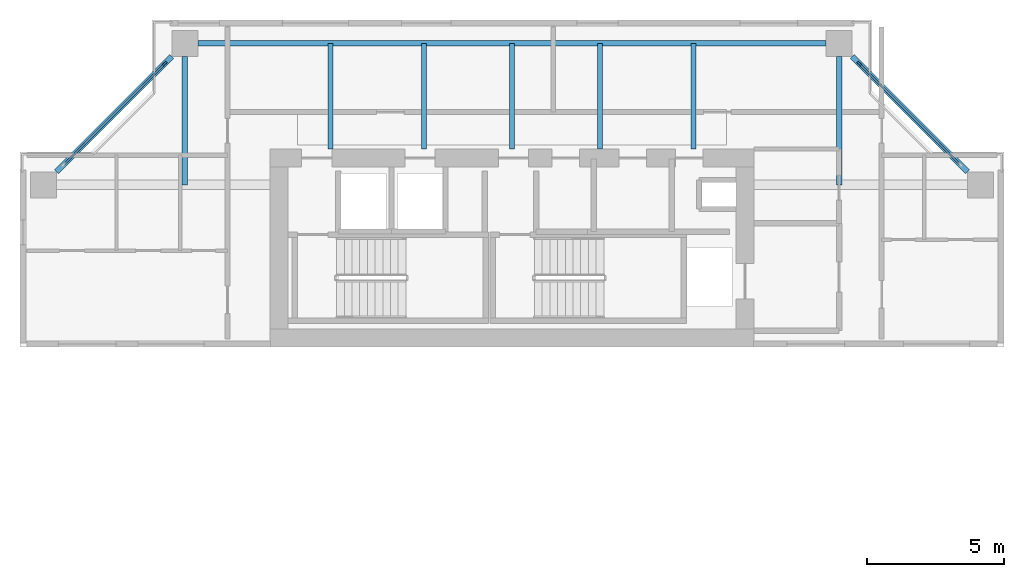
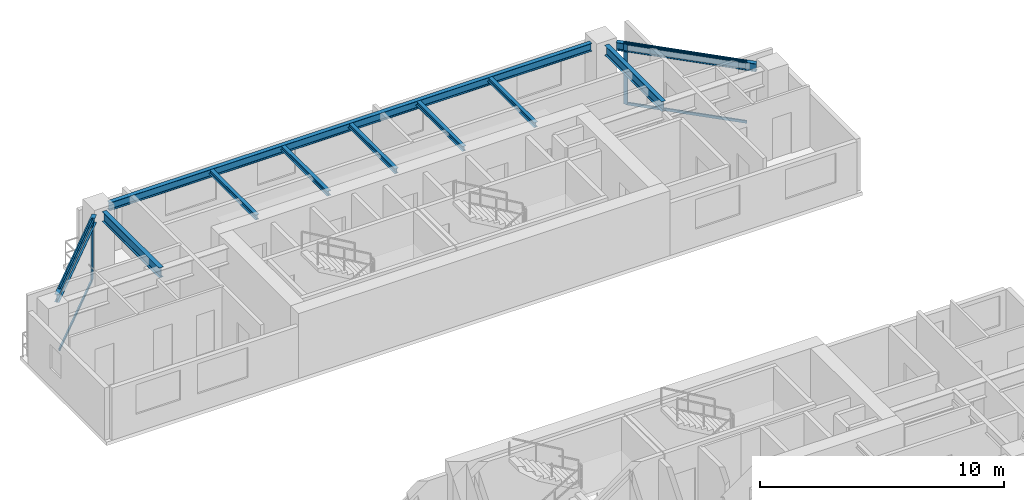
# One storey, part 5 of 12: 10 beams, 6 members, 2 elements without a shape of their own.
"""IFC4 building model written with IfcOpenShell, lengths in metres."""

import ifcopenshell
import ifcopenshell.guid

model = None  # the IFC model being written
_history = None  # IfcOwnerHistory: only IFC2X3 demands one
_inside = {}  # id of a spatial element -> (the spatial element, [elements in it])
_under = {}  # id of a project, library or spatial element -> (it, [spatial elements below it])
_declared = {}  # id of a project -> (the project, [libraries it declares])
_typed = {}  # id of a type object -> (the type object, [elements of that type])
_made_of = {}  # id of a material, layer set ... -> (it, [elements and type objects made of it])


def new_model(schema):
    """Start an empty IFC model of exactly this schema.

    Asked for "IFC4X3", IfcOpenShell would pick the latest addendum, in which some entities
    have other attributes; the version numbers below select the first issue.
    IFC2X3 requires an IfcOwnerHistory on every rooted entity: one is made here for all.
    """
    global model, _history
    if schema == "IFC4X3":
        model = ifcopenshell.file(schema_version=(4, 3, 0, 0))
    else:
        model = ifcopenshell.file(schema=schema)
    _inside.clear()
    _under.clear()
    _declared.clear()
    _typed.clear()
    _made_of.clear()
    _history = None
    if model.schema == "IFC2X3":
        org = make("IfcOrganization", Name="unknown")
        user = make(
            "IfcPersonAndOrganization",
            ThePerson=make("IfcPerson", FamilyName="unknown"),
            TheOrganization=org,
        )
        app = make(
            "IfcApplication",
            ApplicationDeveloper=org,
            Version="unknown",
            ApplicationFullName="unknown",
            ApplicationIdentifier="unknown",
        )
        _history = make(
            "IfcOwnerHistory",
            OwningUser=user,
            OwningApplication=app,
            ChangeAction="ADDED",
            CreationDate=0,
        )
    return model


def make(cls, **values):
    """One entity of the class cls with the attributes given. An attribute that is None is left unset."""
    return model.create_entity(
        cls, **{name: value for name, value in values.items() if value is not None}
    )


def rooted(cls, **values):
    """An entity with a GlobalId (a new one), such as an element, a storey or a relation."""
    return make(cls, GlobalId=ifcopenshell.guid.new(), OwnerHistory=_history, **values)


def si_unit(unit_type, name, prefix=None):
    """IfcSIUnit, for example si_unit("LENGTHUNIT", "METRE", prefix="MILLI")."""
    return make("IfcSIUnit", UnitType=unit_type, Prefix=prefix, Name=name)


def assignment(units):
    """IfcUnitAssignment: the units of a project."""
    return None if units is None else make("IfcUnitAssignment", Units=units)


def point(xyz):
    """IfcCartesianPoint."""
    return None if xyz is None else make("IfcCartesianPoint", Coordinates=xyz)


def direction(xyz):
    """IfcDirection."""
    return None if xyz is None else make("IfcDirection", DirectionRatios=xyz)


def frame(location, z_axis=None, x_axis=None):
    """IfcAxis2Placement3D, a coordinate frame: its origin and axes. An axis left out is left unset."""
    return make(
        "IfcAxis2Placement3D",
        Location=point(location),
        Axis=direction(z_axis),
        RefDirection=direction(x_axis),
    )


def frame_2d(location, x_axis=None):
    """IfcAxis2Placement2D, a coordinate frame in the plane: its origin and x axis."""
    return make(
        "IfcAxis2Placement2D", Location=point(location), RefDirection=direction(x_axis)
    )


def origin():
    """The frame at (0, 0, 0) with its axes left unset."""
    return frame((0.0, 0.0, 0.0))


def origin_2d():
    """The frame at (0, 0) in the plane with its x axis left unset."""
    return frame_2d((0.0, 0.0))


def place(relative_to, where):
    """IfcLocalPlacement: puts the frame where relative to a parent placement (None: the world)."""
    return make(
        "IfcLocalPlacement", PlacementRelTo=relative_to, RelativePlacement=where
    )


def context(
    kind, dimensions, precision=None, world=None, true_north=None, identifier=None
):
    """IfcGeometricRepresentationContext, for example the 3D "Model" context."""
    return make(
        "IfcGeometricRepresentationContext",
        ContextIdentifier=identifier,
        ContextType=kind,
        CoordinateSpaceDimension=dimensions,
        Precision=precision,
        WorldCoordinateSystem=world,
        TrueNorth=true_north,
    )


def subcontext(parent, identifier, kind, view, scale=None):
    """IfcGeometricRepresentationSubContext, for example "Body" below "Model"."""
    return make(
        "IfcGeometricRepresentationSubContext",
        ContextIdentifier=identifier,
        ContextType=kind,
        ParentContext=parent,
        TargetScale=scale,
        TargetView=view,
    )


def project(units=None, contexts=None):
    """IfcProject with its units and contexts."""
    return rooted(
        "IfcProject",
        Name="project",
        RepresentationContexts=contexts,
        UnitsInContext=assignment(units),
    )


def spatial(cls, under=None, at=None, **own):
    """A site, building, storey or space (cls), placed at a placement, below another one or the project."""
    s = rooted(cls, ObjectPlacement=at, **own)
    if under is not None:
        _under.setdefault(under.id(), (under, []))[1].append(s)
    return s


def profile(cls, at=None, kind="AREA", **sizes):
    """A parametric profile (cls). Its sizes go by their IFC names, for example OverallWidth=200.0."""
    return make(cls, ProfileType=kind, Position=at, **sizes)


def rectangle(**sizes):
    """IfcRectangleProfileDef."""
    return profile("IfcRectangleProfileDef", **sizes)


def i_section(**sizes):
    """IfcIShapeProfileDef."""
    return profile("IfcIShapeProfileDef", **sizes)


def extrude(swept, where, along, depth):
    """IfcExtrudedAreaSolid: the profile swept, set in the frame where, extruded along a direction by depth."""
    return make(
        "IfcExtrudedAreaSolid",
        SweptArea=swept,
        Position=where,
        ExtrudedDirection=direction(along),
        Depth=depth,
    )


def shape(context_of_items, identifier, shape_type, items):
    """IfcShapeRepresentation: the items that make up one representation, for example the "Body"."""
    return make(
        "IfcShapeRepresentation",
        ContextOfItems=context_of_items,
        RepresentationIdentifier=identifier,
        RepresentationType=shape_type,
        Items=items,
    )


def source(mapping_origin, context_of_items, identifier, shape_type, items):
    """IfcRepresentationMap: a shape defined once, which mapped items show again and again."""
    return make(
        "IfcRepresentationMap",
        MappingOrigin=mapping_origin,
        MappedRepresentation=shape(context_of_items, identifier, shape_type, items),
    )


def transform(
    local_origin,
    x_axis=None,
    y_axis=None,
    z_axis=None,
    scale=None,
    scale2=None,
    scale3=None,
    uniform=True,
):
    """IfcCartesianTransformationOperator3D, or its non-uniform kind. x_axis, y_axis, z_axis: its Axis1, 2, 3."""
    if uniform:
        return make(
            "IfcCartesianTransformationOperator3D",
            Axis1=direction(x_axis),
            Axis2=direction(y_axis),
            LocalOrigin=point(local_origin),
            Scale=scale,
            Axis3=direction(z_axis),
        )
    return make(
        "IfcCartesianTransformationOperator3DnonUniform",
        Axis1=direction(x_axis),
        Axis2=direction(y_axis),
        LocalOrigin=point(local_origin),
        Scale=scale,
        Axis3=direction(z_axis),
        Scale2=scale2,
        Scale3=scale3,
    )


def mapped(mapping_source, mapping_target):
    """IfcMappedItem: shows the shape of a source again, moved by a transform."""
    return make(
        "IfcMappedItem", MappingSource=mapping_source, MappingTarget=mapping_target
    )


def material(Name=None, Category=None):
    """IfcMaterial."""
    return make("IfcMaterial", Name=Name, Category=Category)


def layer(
    of_material, thickness, ventilated=None, Name=None, Category=None, Priority=None
):
    """IfcMaterialLayer: one layer of a wall or slab, of a material (None: an air gap)."""
    return make(
        "IfcMaterialLayer",
        Material=of_material,
        LayerThickness=thickness,
        IsVentilated=ventilated,
        Name=Name,
        Category=Category,
        Priority=Priority,
    )


def layer_set(layers, Name=None):
    """IfcMaterialLayerSet."""
    return make("IfcMaterialLayerSet", MaterialLayers=layers, LayerSetName=Name)


def material_profile(
    of_material, cross_section, Name=None, Category=None, Priority=None
):
    """IfcMaterialProfile: a cross section and its material."""
    return make(
        "IfcMaterialProfile",
        Name=Name,
        Material=of_material,
        Profile=cross_section,
        Priority=Priority,
        Category=Category,
    )


def profile_set(profiles, Name=None, composite=None):
    """IfcMaterialProfileSet."""
    return make(
        "IfcMaterialProfileSet",
        Name=Name,
        MaterialProfiles=profiles,
        CompositeProfile=composite,
    )


def made_of(thing, what):
    """Note that an element or type object is made of a material, layer set ...; save() writes the relation."""
    if what is not None:
        _made_of.setdefault(what.id(), (what, []))[1].append(thing)
    return thing


def type_object(cls, material=None, **own):
    """A type object (cls), such as IfcWallType, which elements share."""
    return made_of(rooted(cls, **own), material)


def element(
    cls,
    number,
    at=None,
    inside=None,
    cuts=None,
    type_object=None,
    material=None,
    context=None,
    identifier="Body",
    shape_type=None,
    held_by="IfcProductDefinitionShape",
    body=None,
    shapes=None,
    **own,
):
    """One element of the class cls, such as IfcWall. Its Tag is "e" and its number.

    at: its placement. inside: the storey or other place that contains it. cuts: it is an
    opening in that element (IfcRelVoidsElement). A single representation is given by context,
    identifier, shape_type and body (its items); several are given by shapes. held_by: the class
    of the entity that holds the representations. save() writes the other relations.
    """
    e = rooted(cls, Tag="e%d" % number, ObjectPlacement=at, **own)
    if body is not None:
        shapes = [shape(context, identifier, shape_type, body)]
    if shapes is not None:
        e.Representation = make(held_by, Representations=shapes)
    if inside is not None:
        _inside.setdefault(inside.id(), (inside, []))[1].append(e)
    if cuts is not None:
        rooted(
            "IfcRelVoidsElement", RelatingBuildingElement=cuts, RelatedOpeningElement=e
        )
    if type_object is not None:
        _typed.setdefault(type_object.id(), (type_object, []))[1].append(e)
    return made_of(e, material)


def aggregate(whole, parts):
    """IfcRelAggregates: a whole, such as a stair, and the parts it consists of."""
    return rooted("IfcRelAggregates", RelatingObject=whole, RelatedObjects=parts)


def save(model, path):
    """Write the relations noted so far, then the file.

    IfcRelAggregates (storeys below a building ...), IfcRelContainedInSpatialStructure (elements
    in a storey), IfcRelDefinesByType, IfcRelAssociatesMaterial and IfcRelDeclares: one each for
    every whole, place, type object, material and project.
    """
    for whole, parts in _under.values():
        aggregate(whole, parts)
    for where, things in _inside.values():
        rooted(
            "IfcRelContainedInSpatialStructure",
            RelatedElements=things,
            RelatingStructure=where,
        )
    for kind, things in _typed.values():
        rooted("IfcRelDefinesByType", RelatedObjects=things, RelatingType=kind)
    for what, things in _made_of.values():
        rooted("IfcRelAssociatesMaterial", RelatedObjects=things, RelatingMaterial=what)
    for by, libraries in _declared.values():
        rooted("IfcRelDeclares", RelatingContext=by, RelatedDefinitions=libraries)
    model.write(path)


model = new_model("IFC4")

# Units and contexts
model_context = context("Model", 3, precision=1e-05, world=origin(), true_north=direction((0.0, 1.0)))
body_context = subcontext(model_context, "Body", "Model", "MODEL_VIEW")
ifc_project = project(units=[si_unit("LENGTHUNIT", "METRE"), si_unit("AREAUNIT", "SQUARE_METRE"), si_unit("VOLUMEUNIT", "CUBIC_METRE"), si_unit("PLANEANGLEUNIT", "RADIAN"), si_unit("MASSUNIT", "GRAM", prefix="KILO"), si_unit("THERMODYNAMICTEMPERATUREUNIT", "KELVIN"), si_unit("POWERUNIT", "WATT")], contexts=[model_context])

# Site, building, storey
site_placement = place(None, origin())
site = spatial("IfcSite", under=ifc_project, at=site_placement, CompositionType="ELEMENT")
building_placement = place(site_placement, origin())
building = spatial("IfcBuilding", under=site, at=building_placement, Name="Qiaomeng Ring Towers", CompositionType="ELEMENT")
storey_placement = place(building_placement, frame((0.0, 0.0, 160.0)))
storey = spatial("IfcBuildingStorey", under=building, at=storey_placement, Name="L46", CompositionType="ELEMENT", Elevation=160.0)

# Beams
ifc_material_1 = material(Name="Steel Q355B", Category="steel")
ifc_material_profile_1 = material_profile(ifc_material_1, i_section(OverallWidth=0.175048828125, OverallDepth=0.243896484375, WebThickness=0.007080078125, FlangeThickness=0.010986328125, FilletRadius=0.01611328125, at=origin_2d()), Name="HM 244x175x7x11")
ifc_profile_set_1 = profile_set([ifc_material_profile_1], Name="Steel Q355B")
beam_type_1 = type_object("IfcBeamType", Name="STR-BM-HM244", PredefinedType="JOIST", material=ifc_profile_set_1)
shared_shape_1 = source(origin(), body_context, "Body", "SweptSolid", [
    extrude(i_section(OverallWidth=0.175048828125, OverallDepth=0.243896484375, WebThickness=0.007080078125, FlangeThickness=0.010986328125, FilletRadius=0.01611328125, at=origin_2d()), origin(), (0.0, 0.0, 1.0), 3.85009765625),
])
for number, where, z_axis, x_axis, name in (
    (1, (12.39990234375, 36.199951171875, 2.947998046875), (0.0, 1.0, 0.0), (-1.0, 0.0, 0.0), "L46 beam STR-JST-L46-T1N-1"),
    (2, (15.800048828125, 36.199951171875, 2.947998046875), (0.0, 1.0, 0.0), (-1.0, 0.0, 0.0), "L46 beam STR-JST-L46-T1N-2"),
    (3, (19.0, 36.199951171875, 2.947998046875), (0.0, 1.0, 0.0), (-1.0, 0.0, 0.0), "L46 beam STR-JST-L46-T1N-3"),
    (4, (22.199951171875, 36.199951171875, 2.947998046875), (0.0, 1.0, 0.0), (-1.0, 0.0, 0.0), "L46 beam STR-JST-L46-T1N-4"),
    (5, (25.60009765625, 36.199951171875, 2.947998046875), (0.0, 1.0, 0.0), (-1.0, 0.0, 0.0), "L46 beam STR-JST-L46-T1N-5"),
):
    element("IfcBeam", number, at=place(storey_placement, frame(where, z_axis=z_axis, x_axis=x_axis)), inside=storey, type_object=beam_type_1, Name=name, PredefinedType="JOIST", context=body_context, shape_type="MappedRepresentation", body=[
        mapped(shared_shape_1, transform((0.0, 0.0, 0.0), x_axis=(1.0, 0.0, 0.0), y_axis=(0.0, 1.0, 0.0), z_axis=(0.0, 0.0, 1.0), scale=1.0)),
    ])
ifc_material_profile_2 = material_profile(ifc_material_1, i_section(OverallWidth=0.199951171875, OverallDepth=0.39990234375, WebThickness=0.008056640625, FlangeThickness=0.012939453125, FilletRadius=0.01611328125, at=origin_2d()), Name="HN 400x200x8x13")
ifc_profile_set_2 = profile_set([ifc_material_profile_2], Name="Steel Q355B")
beam_type_2 = type_object("IfcBeamType", Name="STR-BM-HN400", PredefinedType="SPANDREL", material=ifc_profile_set_2)
shared_shape_2 = source(origin(), body_context, "Body", "SweptSolid", [
    extrude(i_section(OverallWidth=0.199951171875, OverallDepth=0.39990234375, WebThickness=0.008056640625, FlangeThickness=0.012939453125, FilletRadius=0.01611328125, at=origin_2d()), origin(), (0.0, 0.0, 1.0), 22.85205078125),
])
beam_placement = place(storey_placement, frame((30.426025390625, 40.050048828125, 2.8701171875), z_axis=(-1.0, 0.0, 0.0), x_axis=(0.0, -1.0, 0.0)))
element("IfcBeam", 6, at=beam_placement, inside=storey, type_object=beam_type_2, Name="L46 beam STR-SP-L46-T1-N2-N1", PredefinedType="SPANDREL", context=body_context, shape_type="MappedRepresentation", body=[
    mapped(shared_shape_2, transform((0.0, 0.0, 0.0), x_axis=(1.0, 0.0, 0.0), y_axis=(0.0, 1.0, 0.0), z_axis=(0.0, 0.0, 1.0), scale=1.0)),
])
shared_shape_3 = source(origin(), body_context, "Body", "SweptSolid", [
    extrude(i_section(OverallWidth=0.199951171875, OverallDepth=0.39990234375, WebThickness=0.008056640625, FlangeThickness=0.012939453125, FilletRadius=0.01611328125, at=origin_2d()), origin(), (0.0, 0.0, 1.0), 5.941650390625),
])
for number, where, z_axis, x_axis, name in (
    (7, (35.57568359375, 35.374267578125, 2.8701171875), (-0.707106781187, 0.707106781187, 0.0), (-0.707106781187, -0.707106781187, 0.0), "L46 beam STR-SP-L46-T1-E4-N2"),
    (8, (6.625732421875, 39.57568359375, 2.8701171875), (-0.707106781187, -0.707106781187, 0.0), (0.707106781187, -0.707106781187, 0.0), "L46 beam STR-SP-L46-T1-N1-W4"),
):
    element("IfcBeam", number, at=place(storey_placement, frame(where, z_axis=z_axis, x_axis=x_axis)), inside=storey, type_object=beam_type_2, Name=name, PredefinedType="SPANDREL", context=body_context, shape_type="MappedRepresentation", body=[
        mapped(shared_shape_3, transform((0.0, 0.0, 0.0), x_axis=(1.0, 0.0, 0.0), y_axis=(0.0, 1.0, 0.0), z_axis=(0.0, 0.0, 1.0), scale=1.0)),
    ])
ifc_material_profile_3 = material_profile(ifc_material_1, i_section(OverallWidth=0.199951171875, OverallDepth=0.5, WebThickness=0.010009765625, FlangeThickness=0.01611328125, FilletRadius=0.02001953125, at=origin_2d()), Name="HN 500x200x10x16")
ifc_profile_set_3 = profile_set([ifc_material_profile_3], Name="Steel Q355B")
beam_type_3 = type_object("IfcBeamType", Name="STR-BM-HN500", PredefinedType="BEAM", material=ifc_profile_set_3)
shared_shape_4 = source(origin(), body_context, "Body", "SweptSolid", [
    extrude(i_section(OverallWidth=0.199951171875, OverallDepth=0.5, WebThickness=0.010009765625, FlangeThickness=0.01611328125, FilletRadius=0.02001953125, at=origin_2d()), origin(), (0.0, 0.0, 1.0), 4.676025390625),
])
for number, where, z_axis, x_axis, name in (
    (9, (7.10009765625, 39.575927734375, 2.820068359375), (0.0, -1.0, 0.0), (1.0, 0.0, 0.0), "L46 beam STR-BM-L46-T1-RAD-N1"),
    (10, (30.89990234375, 39.575927734375, 2.820068359375), (0.0, -1.0, 0.0), (1.0, 0.0, 0.0), "L46 beam STR-BM-L46-T1-RAD-N2"),
):
    element("IfcBeam", number, at=place(storey_placement, frame(where, z_axis=z_axis, x_axis=x_axis)), inside=storey, type_object=beam_type_3, Name=name, PredefinedType="BEAM", context=body_context, shape_type="MappedRepresentation", body=[
        mapped(shared_shape_4, transform((0.0, 0.0, 0.0), x_axis=(1.0, 0.0, 0.0), y_axis=(0.0, 1.0, 0.0), z_axis=(0.0, 0.0, 1.0), scale=1.0)),
    ])

# Curtain wall, member
ifc_material_2 = material(Name="Fluorocarbon dark-grey aluminium", Category="aluminium")
ifc_layer = layer(ifc_material_2, 0.14990234375, Name="Fluorocarbon dark-grey aluminium")
ifc_layer_set = layer_set([ifc_layer], Name="Fluorocarbon dark-grey aluminium")
curtain_wall_type = type_object("IfcCurtainWallType", Name="ARC-CW-3", PredefinedType="NOTDEFINED", material=ifc_layer_set)
curtain_wall_1_placement = place(storey_placement, origin())
curtain_wall_1 = element("IfcCurtainWall", 11, at=curtain_wall_1_placement, inside=storey, type_object=curtain_wall_type, Name="L46 Curtain Wall CW3", PredefinedType="NOTDEFINED")
ifc_material_profile_4 = material_profile(ifc_material_2, rectangle(XDim=0.070068359375, YDim=0.179931640625, at=origin_2d()), Name="ALU MULL 70x180")
ifc_profile_set_4 = profile_set([ifc_material_profile_4], Name="Fluorocarbon dark-grey aluminium")
member_type_1 = type_object("IfcMemberType", Name="ARC-CWM-160", PredefinedType="MULLION", material=ifc_profile_set_4)
shared_shape_5 = source(origin(), body_context, "Body", "SweptSolid", [
    extrude(rectangle(XDim=0.070068359375, YDim=0.179931640625, at=origin_2d()), origin(), (0.0, 0.0, 1.0), 3.070068359375),
])
member_1_placement = place(storey_placement, frame((31.6396484375, 39.310302734375, 0.0), z_axis=(0.0, 0.0, 1.0), x_axis=(-0.707106781187, -0.707106781187, 0.0)))
member_1 = element("IfcMember", 12, at=member_1_placement, type_object=member_type_1, Name="CW3 mullion 2", PredefinedType="MULLION", context=body_context, shape_type="MappedRepresentation", body=[
    mapped(shared_shape_5, transform((0.0, 0.0, 0.0), x_axis=(1.0, 0.0, 0.0), y_axis=(0.0, 1.0, 0.0), z_axis=(0.0, 0.0, 1.0), scale=1.0)),
])

curtain_wall_2_placement = place(storey_placement, origin())
curtain_wall_2 = element("IfcCurtainWall", 13, at=curtain_wall_2_placement, inside=storey, type_object=curtain_wall_type, Name="L46 Curtain Wall CW3", PredefinedType="NOTDEFINED")
member_2_placement = place(storey_placement, frame((6.3603515625, 39.310302734375, 0.0), z_axis=(0.0, 0.0, 1.0), x_axis=(0.707106781187, -0.707106781187, 0.0)))
member_2 = element("IfcMember", 14, at=member_2_placement, type_object=member_type_1, Name="CW3 mullion 1", PredefinedType="MULLION", context=body_context, shape_type="MappedRepresentation", body=[
    mapped(shared_shape_5, transform((0.0, 0.0, 0.0), x_axis=(1.0, 0.0, 0.0), y_axis=(0.0, 1.0, 0.0), z_axis=(0.0, 0.0, 1.0), scale=1.0)),
])

# Member
ifc_material_profile_5 = material_profile(ifc_material_2, rectangle(XDim=0.06494140625, YDim=0.1298828125, at=origin_2d()), Name="ALU TRAN 65x130")
ifc_profile_set_5 = profile_set([ifc_material_profile_5], Name="Fluorocarbon dark-grey aluminium")
member_type_2 = type_object("IfcMemberType", Name="ARC-CWT-120", PredefinedType="USERDEFINED", material=ifc_profile_set_5)
shared_shape_6 = source(origin(), body_context, "Body", "SweptSolid", [
    extrude(rectangle(XDim=0.06494140625, YDim=0.1298828125, at=origin_2d()), origin(), (0.0, 0.0, 1.0), 5.12060546875),
])
member_3_placement = place(storey_placement, frame((35.285400390625, 35.66455078125, 0.032470703125), z_axis=(-0.707106781187, 0.707106781187, 0.0), x_axis=(-0.707106781187, -0.707106781187, 0.0)))
member_3 = element("IfcMember", 15, at=member_3_placement, type_object=member_type_2, Name="CW3 transom 1.1", ObjectType="TRANSOM", PredefinedType="USERDEFINED", context=body_context, shape_type="MappedRepresentation", body=[
    mapped(shared_shape_6, transform((0.0, 0.0, 0.0), x_axis=(1.0, 0.0, 0.0), y_axis=(0.0, 1.0, 0.0), z_axis=(0.0, 0.0, 1.0), scale=1.0)),
])

member_4_placement = place(storey_placement, frame((35.285400390625, 35.66455078125, 3.03759765625), z_axis=(-0.707106781187, 0.707106781187, 0.0), x_axis=(-0.707106781187, -0.707106781187, 0.0)))
member_4 = element("IfcMember", 16, at=member_4_placement, type_object=member_type_2, Name="CW3 transom 1.2", ObjectType="TRANSOM", PredefinedType="USERDEFINED", context=body_context, shape_type="MappedRepresentation", body=[
    mapped(shared_shape_6, transform((0.0, 0.0, 0.0), x_axis=(1.0, 0.0, 0.0), y_axis=(0.0, 1.0, 0.0), z_axis=(0.0, 0.0, 1.0), scale=1.0)),
])

aggregate(curtain_wall_1, [member_1, member_3, member_4])

member_5_placement = place(storey_placement, frame((6.33544921875, 39.285400390625, 0.032470703125), z_axis=(-0.707106781187, -0.707106781187, 0.0), x_axis=(0.707106781187, -0.707106781187, 0.0)))
member_5 = element("IfcMember", 17, at=member_5_placement, type_object=member_type_2, Name="CW3 transom 1.1", ObjectType="TRANSOM", PredefinedType="USERDEFINED", context=body_context, shape_type="MappedRepresentation", body=[
    mapped(shared_shape_6, transform((0.0, 0.0, 0.0), x_axis=(1.0, 0.0, 0.0), y_axis=(0.0, 1.0, 0.0), z_axis=(0.0, 0.0, 1.0), scale=1.0)),
])

member_6_placement = place(storey_placement, frame((6.33544921875, 39.285400390625, 3.03759765625), z_axis=(-0.707106781187, -0.707106781187, 0.0), x_axis=(0.707106781187, -0.707106781187, 0.0)))
member_6 = element("IfcMember", 18, at=member_6_placement, type_object=member_type_2, Name="CW3 transom 1.2", ObjectType="TRANSOM", PredefinedType="USERDEFINED", context=body_context, shape_type="MappedRepresentation", body=[
    mapped(shared_shape_6, transform((0.0, 0.0, 0.0), x_axis=(1.0, 0.0, 0.0), y_axis=(0.0, 1.0, 0.0), z_axis=(0.0, 0.0, 1.0), scale=1.0)),
])

aggregate(curtain_wall_2, [member_2, member_5, member_6])

save(model, "model.ifc")
